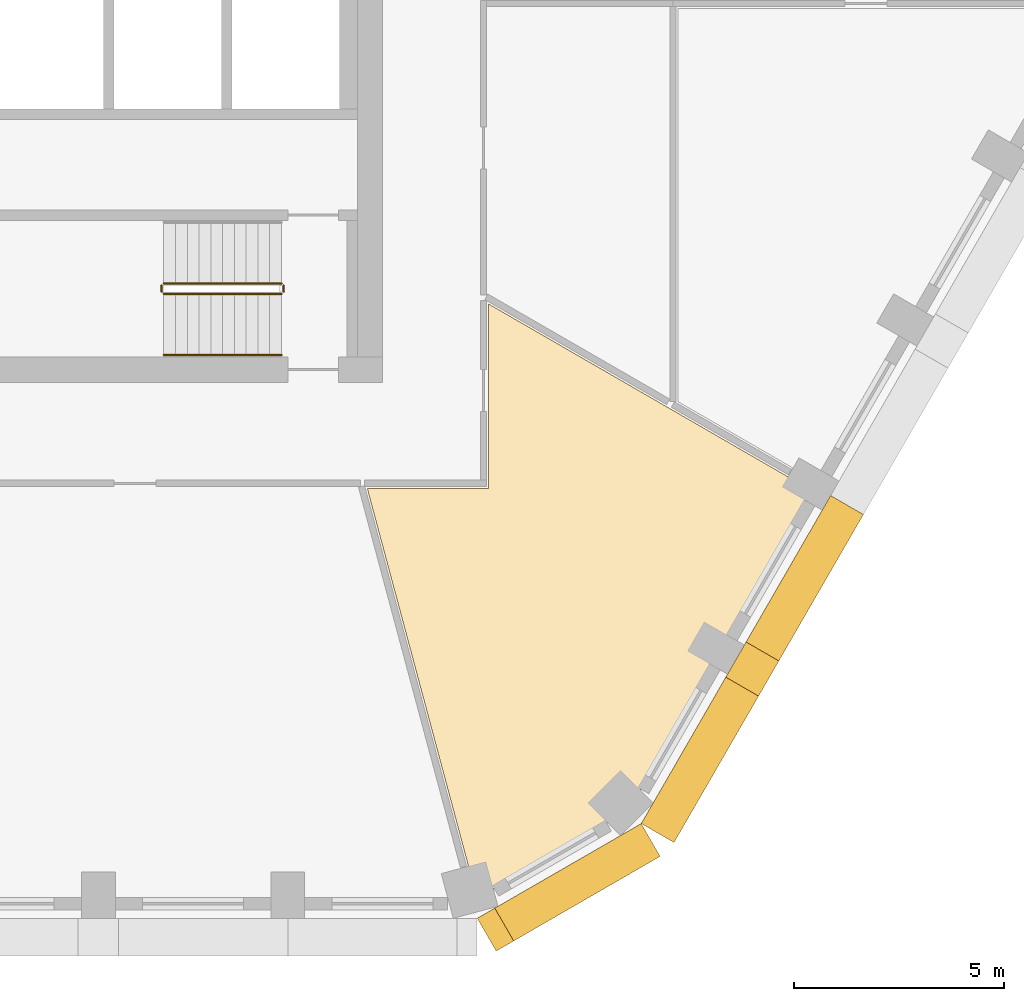
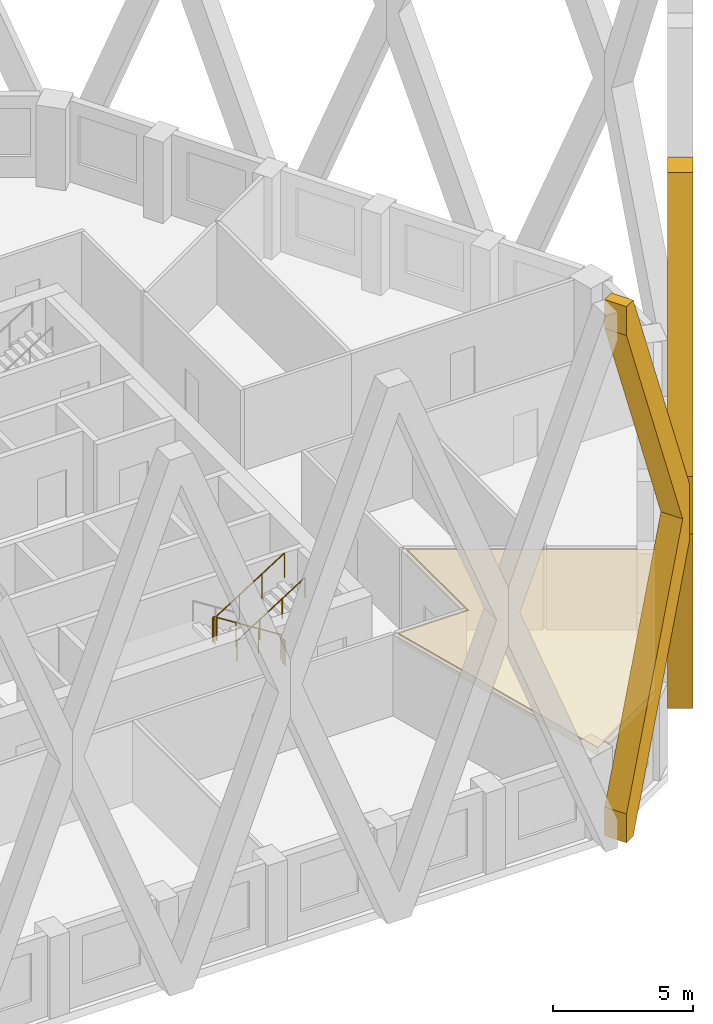
# One storey, part 11 of 15: 5 railings, 3 coverings.
"""IFC4 building model written with IfcOpenShell, lengths in metres."""

from ifc_helpers import new_model, si_unit, direction, frame, origin, origin_2d, place, context, subcontext, project, spatial, polyline, circle, outline, extrude, material, layer, layer_set, type_object, element, save


model = new_model("IFC4")

# Units and contexts
model_context = context("Model", 3, precision=1e-05, world=origin(), true_north=direction((0.0, 1.0)))
body_context = subcontext(model_context, "Body", "Model", "MODEL_VIEW")
ifc_project = project(units=[si_unit("LENGTHUNIT", "METRE"), si_unit("AREAUNIT", "SQUARE_METRE"), si_unit("VOLUMEUNIT", "CUBIC_METRE"), si_unit("PLANEANGLEUNIT", "RADIAN"), si_unit("MASSUNIT", "GRAM", prefix="KILO")], contexts=[model_context])

# Site, building, storey
site_placement = place(None, origin())
site = spatial("IfcSite", under=ifc_project, at=site_placement, CompositionType="ELEMENT")
building_placement = place(site_placement, origin())
building = spatial("IfcBuilding", under=site, at=building_placement, Name="Dhurran Vertical Campus", CompositionType="ELEMENT")
storey_placement = place(building_placement, frame((0.0, 0.0, 207.300048828125)))
storey = spatial("IfcBuildingStorey", under=building, at=storey_placement, Name="L51", CompositionType="ELEMENT", Elevation=207.300048828125)

# Coverings
ifc_material_1 = material(Name="Precast concrete C50/60", Category="concrete")
covering_type_1 = type_object("IfcCoveringType", Name="Folded precast fin lattice diamond", PredefinedType="USERDEFINED", material=ifc_material_1)
covering_1_placement = place(storey_placement, frame((15.75, -23.985595703125, 0.0), z_axis=(0.50001992892, -0.866013897511, 0.0), x_axis=(0.866013897511, 0.50001992892, 0.0)))
element("IfcCovering", 1, at=covering_1_placement, inside=storey, type_object=covering_type_1, Name="FN1 L51.005", ObjectType="FIN", PredefinedType="USERDEFINED", context=body_context, shape_type="SweptSolid", body=[
    extrude(outline(polyline([(4.5, 10.4462890625), (0.482177734375, 0.0), (0.0, 0.0), (0.0, 1.253662109375), (4.017822265625, 11.699951171875), (0.0, 22.146484375), (0.0, 23.39990234375), (0.482177734375, 23.39990234375), (4.5, 12.95361328125), (4.5, 10.4462890625)])), origin(), (0.0, 0.0, 1.0), 0.89990234375),
])
covering_2_placement = place(storey_placement, frame((19.647216796875, -21.735595703125, 0.0), z_axis=(0.866013897511, -0.50001992892, 0.0), x_axis=(0.50001992892, 0.866013897511, 0.0)))
element("IfcCovering", 2, at=covering_2_placement, inside=storey, type_object=covering_type_1, Name="FN1 L51.006", ObjectType="FIN", PredefinedType="USERDEFINED", context=body_context, shape_type="SweptSolid", body=[
    extrude(outline(polyline([(9.0, 12.95361328125), (9.0, 10.4462890625), (4.982177734375, 0.0), (4.017822265625, 0.0), (0.0, 10.4462890625), (0.0, 12.95361328125), (4.017822265625, 23.39990234375), (4.982177734375, 23.39990234375), (9.0, 12.95361328125)]), holes=[polyline([(8.517822265625, 11.699951171875), (4.5, 22.146484375), (0.482177734375, 11.699951171875), (4.5, 1.253662109375), (8.517822265625, 11.699951171875)])]), origin(), (0.0, 0.0, 1.0), 0.89990234375),
])

# Railings
ifc_material_2 = material(Name="Stainless steel balustrade", Category="steel")
railing_type_1 = type_object("IfcRailingType", Name="co-RL-GUARD-1100", PredefinedType="GUARDRAIL", material=ifc_material_2)
railing_1_placement = place(storey_placement, frame((11.10009765625, -8.89990234375, 0.17724609375)))
element("IfcRailing", 3, at=railing_1_placement, inside=storey, type_object=railing_type_1, Name="L51 ST4 stair guard 1", PredefinedType="GUARDRAIL", context=body_context, shape_type="SweptSolid", body=[
    extrude(circle(Radius=0.02392578125, at=origin_2d()), frame((0.0, 0.0, 1.076171875), z_axis=(-0.844908973607, 0.0, 0.534910110503), x_axis=(0.0, -1.0, 0.0)), (0.0, 0.0, 1.0), 3.31396484375),
    extrude(circle(Radius=0.02099609375, at=origin_2d()), origin(), (0.0, 0.0, 1.0), 1.052001953125),
    extrude(circle(Radius=0.02099609375, at=origin_2d()), frame((-0.933349609375, 0.0, 0.5908203125)), (0.0, 0.0, 1.0), 1.052001953125),
    extrude(circle(Radius=0.02099609375, at=origin_2d()), frame((-1.86669921875, 0.0, 1.181884765625)), (0.0, 0.0, 1.0), 1.052001953125),
    extrude(circle(Radius=0.02099609375, at=origin_2d()), frame((-2.800048828125, 0.0, 1.772705078125)), (0.0, 0.0, 1.0), 1.052001953125),
])
railing_2_placement = place(storey_placement, frame((8.25, -8.949951171875, 1.949951171875)))
element("IfcRailing", 4, at=railing_2_placement, inside=storey, type_object=railing_type_1, Name="L51 ST4 stair guard 2", PredefinedType="GUARDRAIL", context=body_context, shape_type="SweptSolid", body=[
    extrude(circle(Radius=0.02392578125, at=origin_2d()), frame((0.0, 0.0, 1.076171875), z_axis=(0.0, -1.0, 0.0), x_axis=(1.0, 0.0, 0.0)), (0.0, 0.0, 1.0), 0.150146484375),
    extrude(circle(Radius=0.02099609375, at=origin_2d()), origin(), (0.0, 0.0, 1.0), 1.052001953125),
    extrude(circle(Radius=0.02099609375, at=origin_2d()), frame((0.0, -0.150146484375, 0.0)), (0.0, 0.0, 1.0), 1.052001953125),
])
railing_3_placement = place(storey_placement, frame((8.300048828125, -9.14990234375, 2.127197265625)))
element("IfcRailing", 5, at=railing_3_placement, inside=storey, type_object=railing_type_1, Name="L51 ST4 stair guard 3", PredefinedType="GUARDRAIL", context=body_context, shape_type="SweptSolid", body=[
    extrude(circle(Radius=0.02392578125, at=origin_2d()), frame((0.0, 0.0, 1.076171875), z_axis=(0.844908973607, 0.0, 0.534910110503), x_axis=(0.0, 1.0, 0.0)), (0.0, 0.0, 1.0), 3.31396484375),
    extrude(circle(Radius=0.02099609375, at=origin_2d()), origin(), (0.0, 0.0, 1.0), 1.052001953125),
    extrude(circle(Radius=0.02099609375, at=origin_2d()), frame((0.933349609375, 0.0, 0.5908203125)), (0.0, 0.0, 1.0), 1.052001953125),
    extrude(circle(Radius=0.02099609375, at=origin_2d()), frame((1.86669921875, 0.0, 1.181884765625)), (0.0, 0.0, 1.0), 1.052001953125),
    extrude(circle(Radius=0.02099609375, at=origin_2d()), frame((2.800048828125, 0.0, 1.772705078125)), (0.0, 0.0, 1.0), 1.052001953125),
])
railing_4_placement = place(storey_placement, frame((11.14990234375, -8.949951171875, 0.0)))
element("IfcRailing", 6, at=railing_4_placement, inside=storey, type_object=railing_type_1, Name="L51 ST4 stair guard 4", PredefinedType="GUARDRAIL", context=body_context, shape_type="SweptSolid", body=[
    extrude(circle(Radius=0.02392578125, at=origin_2d()), frame((0.0, 0.0, 1.076171875), z_axis=(0.0, -1.0, 0.0), x_axis=(1.0, 0.0, 0.0)), (0.0, 0.0, 1.0), 0.150146484375),
    extrude(circle(Radius=0.02099609375, at=origin_2d()), origin(), (0.0, 0.0, 1.0), 1.052001953125),
    extrude(circle(Radius=0.02099609375, at=origin_2d()), frame((0.0, -0.150146484375, 0.0)), (0.0, 0.0, 1.0), 1.052001953125),
])
ifc_material_3 = material(Name="Stainless steel handrail", Category="steel")
railing_type_2 = type_object("IfcRailingType", Name="co-RL-HANDRAIL-900", PredefinedType="HANDRAIL", material=ifc_material_3)
railing_5_placement = place(storey_placement, frame((8.300048828125, -10.60009765625, 2.127197265625)))
element("IfcRailing", 7, at=railing_5_placement, inside=storey, type_object=railing_type_2, Name="L51 ST4 stair handrail 2", PredefinedType="HANDRAIL", context=body_context, shape_type="SweptSolid", body=[
    extrude(circle(Radius=0.02392578125, at=origin_2d()), frame((0.0, 0.0, 0.8759765625), z_axis=(0.844908973607, 0.0, 0.534910110503), x_axis=(0.0, 1.0, 0.0)), (0.0, 0.0, 1.0), 3.31396484375),
    extrude(circle(Radius=0.02099609375, at=origin_2d()), origin(), (0.0, 0.0, 1.0), 0.851806640625),
    extrude(circle(Radius=0.02099609375, at=origin_2d()), frame((0.933349609375, 0.0, 0.5908203125)), (0.0, 0.0, 1.0), 0.851806640625),
    extrude(circle(Radius=0.02099609375, at=origin_2d()), frame((1.86669921875, 0.0, 1.181884765625)), (0.0, 0.0, 1.0), 0.851806640625),
    extrude(circle(Radius=0.02099609375, at=origin_2d()), frame((2.800048828125, 0.0, 1.772705078125)), (0.0, 0.0, 1.0), 0.851806640625),
])

# Covering
ifc_material_4 = material(Name="Mineral fibre ceiling tiles on suspended grid")
ifc_layer = layer(ifc_material_4, 0.35009765625)
ifc_layer_set = layer_set([ifc_layer], Name="Mineral fibre ceiling tiles on suspended grid")
covering_type_2 = type_object("IfcCoveringType", Name="fl-CE-350 suspended ceiling", PredefinedType="CEILING", material=ifc_layer_set)
covering_3_placement = place(storey_placement, frame((0.0, 0.0, 3.199951171875)))
element("IfcCovering", 8, at=covering_3_placement, inside=storey, type_object=covering_type_2, Name="Ceiling 51-15", PredefinedType="CEILING", context=body_context, shape_type="SweptSolid", body=[
    extrude(outline(polyline([(23.722900390625, -13.8349609375), (19.339111328125, -21.427978515625), (15.7451171875, -23.50390625), (13.136962890625, -13.77001953125), (16.02001953125, -13.77001953125), (16.02001953125, -9.387939453125), (23.722900390625, -13.8349609375)])), origin(), (0.0, 0.0, 1.0), 0.35009765625),
])

save(model, "model.ifc")
